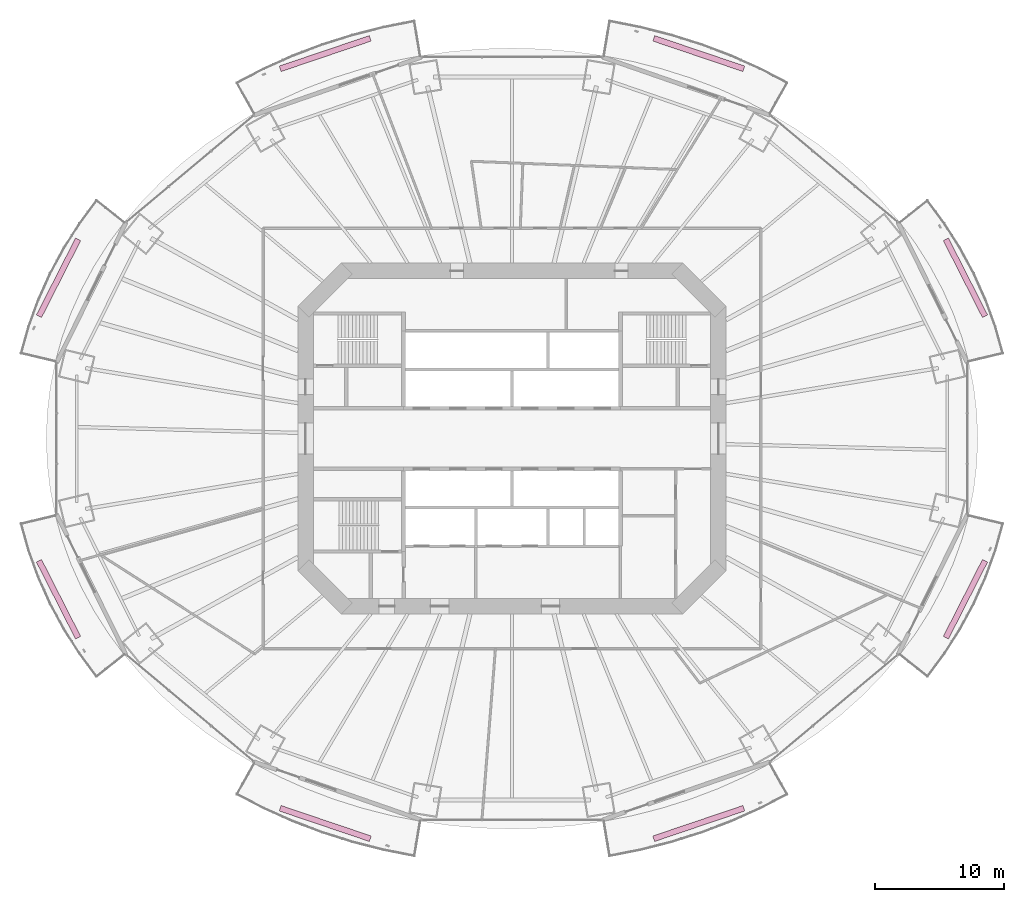
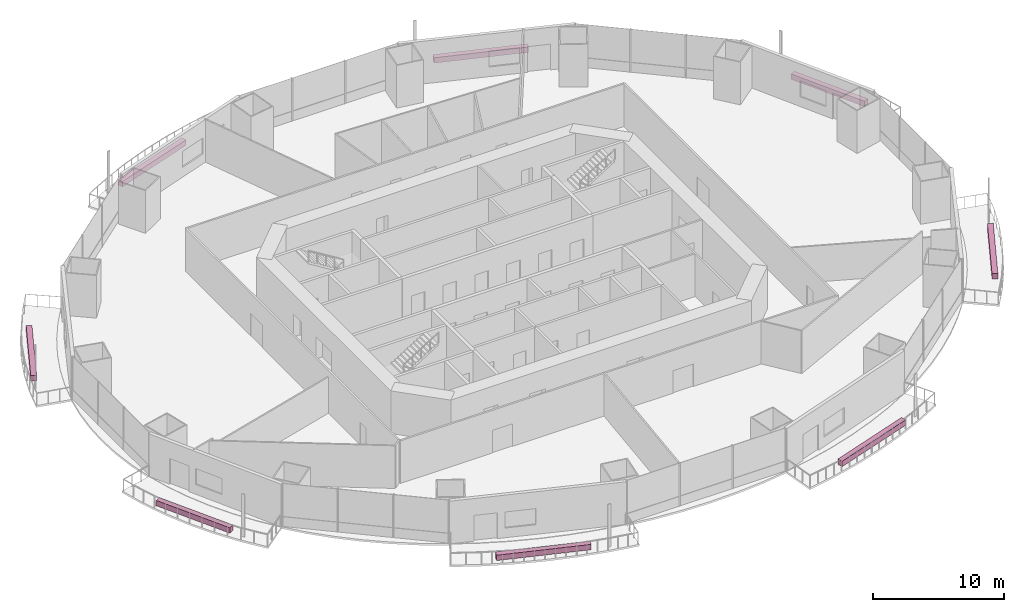
# One storey, part 23 of 23: 8 furnishings.
"""IFC4 building model written with IfcOpenShell, lengths in metres."""

from ifc_helpers import new_model, si_unit, direction, frame, origin, origin_2d, place, context, subcontext, project, spatial, rectangle, extrude, material, type_object, element, save


model = new_model("IFC4")

# Units and contexts
model_context = context("Model", 3, precision=1e-05, world=origin(), true_north=direction((0.0, 1.0)))
body_context = subcontext(model_context, "Body", "Model", "MODEL_VIEW")
ifc_project = project(units=[si_unit("LENGTHUNIT", "METRE"), si_unit("AREAUNIT", "SQUARE_METRE"), si_unit("VOLUMEUNIT", "CUBIC_METRE"), si_unit("PLANEANGLEUNIT", "RADIAN"), si_unit("MASSUNIT", "GRAM", prefix="KILO")], contexts=[model_context])

# Site, building, storey
site_placement = place(None, origin())
site = spatial("IfcSite", under=ifc_project, at=site_placement, CompositionType="ELEMENT")
building_placement = place(site_placement, origin())
building = spatial("IfcBuilding", under=site, at=building_placement, Name="Marenthal Gate Tower", CompositionType="ELEMENT")
storey_placement = place(building_placement, frame((0.0, 0.0, 66.199951171875)))
storey = spatial("IfcBuildingStorey", under=building, at=storey_placement, Name="L12", CompositionType="ELEMENT", Elevation=66.199951171875)

# Furnishings
ifc_material = material(Name="Planting soil and foliage", Category="planting")
furnishing_element_type = type_object("IfcFurnishingElementType", Name="Balcony PLANTER trough", material=ifc_material)
furnishing_1_placement = place(storey_placement, frame((35.15869140625, 12.458984375, -0.0400390625), z_axis=(0.0, 0.0, 1.0), x_axis=(-0.4535178521, 0.891247192325, 0.0)))
element("IfcFurnishingElement", 1, at=furnishing_1_placement, inside=storey, type_object=furnishing_element_type, Name="Balcony PLANTER L12 bay 1", ObjectType="PLANTER", context=body_context, shape_type="SweptSolid", body=[
    extrude(rectangle(XDim=6.69677734375, YDim=0.449951171875, at=origin_2d()), origin(), (0.0, 0.0, 1.0), 0.5),
])
for number, where, z_axis, x_axis, name in (
    (2, (14.48095703125, 29.847412109375, -0.0400390625), (0.0, 0.0, 1.0), (-0.947280338964, 0.320405929116, 0.0), "Balcony PLANTER L12 bay 3"),
    (3, (-14.48095703125, 29.847412109375, -0.0400390625), (0.0, 0.0, 1.0), (-0.947280338964, -0.320405929116, 0.0), "Balcony PLANTER L12 bay 5"),
):
    element("IfcFurnishingElement", number, at=place(storey_placement, frame(where, z_axis=z_axis, x_axis=x_axis)), inside=storey, type_object=furnishing_element_type, Name=name, ObjectType="PLANTER", context=body_context, shape_type="SweptSolid", body=[
        extrude(rectangle(XDim=7.37158203125, YDim=0.449951171875, at=origin_2d()), origin(), (0.0, 0.0, 1.0), 0.5),
    ])
for number, where, z_axis, x_axis, name in (
    (4, (-35.15869140625, 12.458984375, -0.0400390625), (0.0, 0.0, 1.0), (-0.4535178521, -0.891247192325, 0.0), "Balcony PLANTER L12 bay 7"),
    (5, (-35.15869140625, -12.458984375, -0.0400390625), (0.0, 0.0, 1.0), (0.4535178521, -0.891247192325, 0.0), "Balcony PLANTER L12 bay 9"),
):
    element("IfcFurnishingElement", number, at=place(storey_placement, frame(where, z_axis=z_axis, x_axis=x_axis)), inside=storey, type_object=furnishing_element_type, Name=name, ObjectType="PLANTER", context=body_context, shape_type="SweptSolid", body=[
        extrude(rectangle(XDim=6.69677734375, YDim=0.449951171875, at=origin_2d()), origin(), (0.0, 0.0, 1.0), 0.5),
    ])
for number, where, z_axis, x_axis, name in (
    (6, (-14.48095703125, -29.847412109375, -0.0400390625), (0.0, 0.0, 1.0), (0.947280338964, -0.320405929116, 0.0), "Balcony PLANTER L12 bay 11"),
    (7, (14.48095703125, -29.847412109375, -0.0400390625), (0.0, 0.0, 1.0), (0.947280338964, 0.320405929116, 0.0), "Balcony PLANTER L12 bay 13"),
):
    element("IfcFurnishingElement", number, at=place(storey_placement, frame(where, z_axis=z_axis, x_axis=x_axis)), inside=storey, type_object=furnishing_element_type, Name=name, ObjectType="PLANTER", context=body_context, shape_type="SweptSolid", body=[
        extrude(rectangle(XDim=7.37158203125, YDim=0.449951171875, at=origin_2d()), origin(), (0.0, 0.0, 1.0), 0.5),
    ])
furnishing_2_placement = place(storey_placement, frame((35.15869140625, -12.458984375, -0.0400390625), z_axis=(0.0, 0.0, 1.0), x_axis=(0.4535178521, 0.891247192325, 0.0)))
element("IfcFurnishingElement", 8, at=furnishing_2_placement, inside=storey, type_object=furnishing_element_type, Name="Balcony PLANTER L12 bay 15", ObjectType="PLANTER", context=body_context, shape_type="SweptSolid", body=[
    extrude(rectangle(XDim=6.69677734375, YDim=0.449951171875, at=origin_2d()), origin(), (0.0, 0.0, 1.0), 0.5),
])

save(model, "model.ifc")
